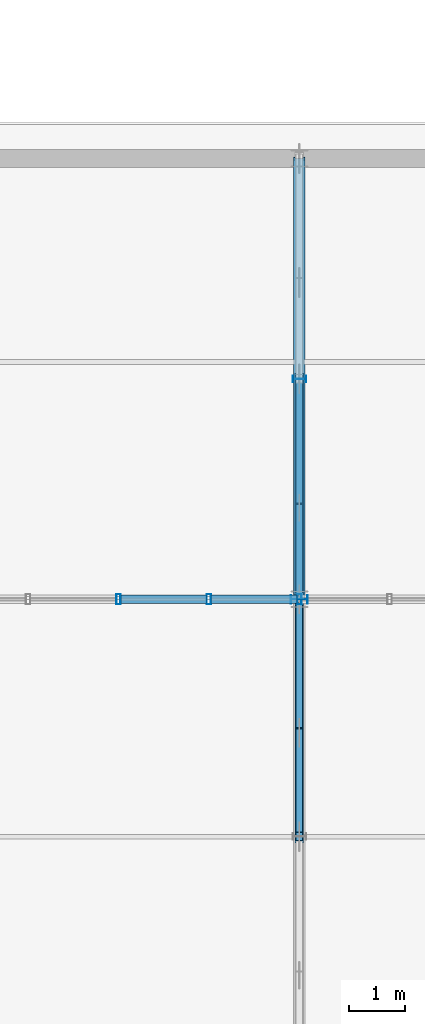
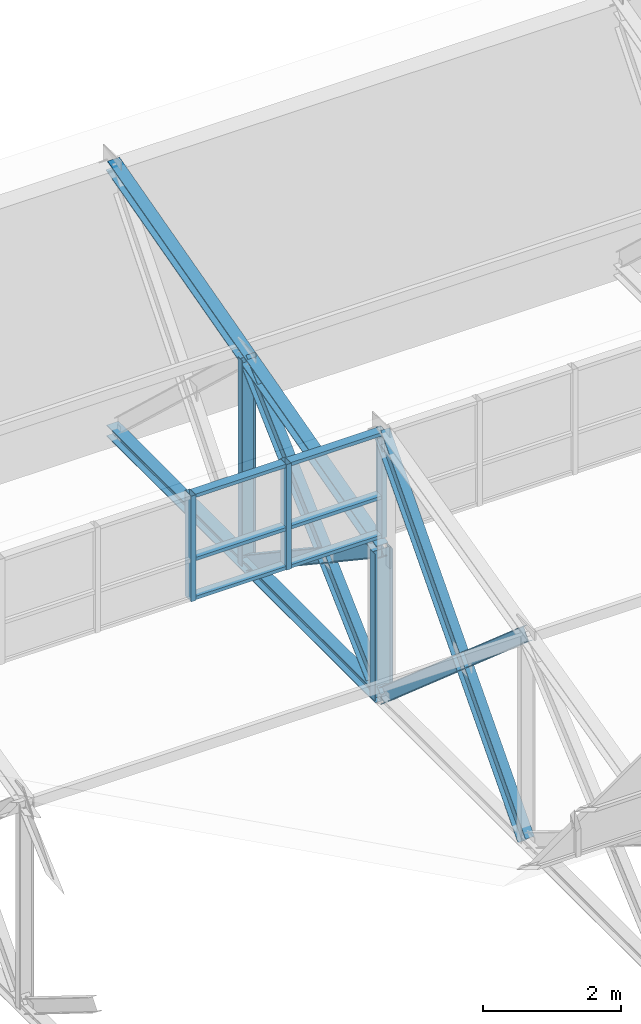
# One storey, part 75 of 123: 19 members, 1 element without a shape of its own.
"""IFC4 building model written with IfcOpenShell, lengths in metres."""

from ifc_helpers import new_model, si_unit, direction, frame, origin, origin_2d, place, context, subcontext, project, spatial, hollow_rectangle, i_section, extrude, material, layer, layer_set, material_profile, profile_set, type_object, element, aggregate, save


model = new_model("IFC4")

# Units and contexts
model_context = context("Model", 3, precision=1e-05, world=origin(), true_north=direction((0.0, 1.0)))
body_context = subcontext(model_context, "Body", "Model", "MODEL_VIEW")
ifc_project = project(units=[si_unit("LENGTHUNIT", "METRE"), si_unit("AREAUNIT", "SQUARE_METRE"), si_unit("VOLUMEUNIT", "CUBIC_METRE"), si_unit("PLANEANGLEUNIT", "RADIAN"), si_unit("MASSUNIT", "GRAM", prefix="KILO")], contexts=[model_context])

# Site, building, storey
site_placement = place(None, origin())
site = spatial("IfcSite", under=ifc_project, at=site_placement, CompositionType="ELEMENT")
building_placement = place(site_placement, origin())
building = spatial("IfcBuilding", under=site, at=building_placement, Name="Zayran Congress Hotel", CompositionType="ELEMENT")
storey_placement = place(building_placement, frame((0.0, 0.0, 15.0)))
storey = spatial("IfcBuildingStorey", under=building, at=storey_placement, Name="L03", CompositionType="ELEMENT", Elevation=15.0)

# Members
ifc_material_1 = material(Name="Steel S355", Category="steel")
ifc_material_profile_1 = material_profile(ifc_material_1, i_section(OverallWidth=0.199951171875, OverallDepth=0.199951171875, WebThickness=0.009033203125, FlangeThickness=0.014892578125, at=origin_2d()), Name="HEB 200")
ifc_profile_set_1 = profile_set([ifc_material_profile_1], Name="Steel S355")
member_type_1 = type_object("IfcMemberType", Name="TP-TR-CH2", PredefinedType="CHORD", material=ifc_profile_set_1)
member_1_placement = place(storey_placement, frame((168.0, 34.0, 0.0), z_axis=(0.0, 1.0, 0.0), x_axis=(-1.0, 0.0, 0.0)))
element("IfcMember", 1, at=member_1_placement, inside=storey, type_object=member_type_1, Name="Sawtooth Truss Bottom Chord 714", PredefinedType="CHORD", context=body_context, shape_type="SweptSolid", body=[
    extrude(i_section(OverallWidth=0.199951171875, OverallDepth=0.199951171875, WebThickness=0.009033203125, FlangeThickness=0.014892578125, at=origin_2d()), origin(), (0.0, 0.0, 1.0), 7.800048828125),
])
member_2_placement = place(storey_placement, frame((168.0, 34.0, 2.60009765625), z_axis=(0.0, 0.96579502769, 0.259306699663), x_axis=(-1.0, 0.0, 0.0)))
element("IfcMember", 2, at=member_2_placement, inside=storey, type_object=member_type_1, Name="Sawtooth Truss Top Chord 715", PredefinedType="CHORD", context=body_context, shape_type="SweptSolid", body=[
    extrude(i_section(OverallWidth=0.199951171875, OverallDepth=0.199951171875, WebThickness=0.009033203125, FlangeThickness=0.014892578125, at=origin_2d()), origin(), (0.0, 0.0, 1.0), 8.076416015625),
])
ifc_material_profile_2 = material_profile(ifc_material_1, i_section(OverallWidth=0.14990234375, OverallDepth=0.300048828125, WebThickness=0.007080078125, FlangeThickness=0.0107421875, at=origin_2d()), Name="IPE 300")
ifc_profile_set_2 = profile_set([ifc_material_profile_2], Name="Steel S355")
member_type_2 = type_object("IfcMemberType", Name="TP-TR-BR1", PredefinedType="BRACE", material=ifc_profile_set_2)
member_3_placement = place(storey_placement, frame((168.0, 29.800048828125, 0.0), z_axis=(0.0, 0.666773332967, 0.745260573521), x_axis=(-1.0, 0.0, 0.0)))
element("IfcMember", 3, at=member_3_placement, inside=storey, type_object=member_type_2, Name="Sawtooth Truss Diagonal Bay2 154", PredefinedType="BRACE", context=body_context, shape_type="SweptSolid", body=[
    extrude(i_section(OverallWidth=0.14990234375, OverallDepth=0.300048828125, WebThickness=0.007080078125, FlangeThickness=0.0107421875, at=origin_2d()), origin(), (0.0, 0.0, 1.0), 6.298828125),
])
member_4_placement = place(storey_placement, frame((168.0, 34.0, 0.0), z_axis=(0.0, 0.730372213416, 0.683049361225), x_axis=(-1.0, 0.0, 0.0)))
element("IfcMember", 4, at=member_4_placement, inside=storey, type_object=member_type_2, Name="Sawtooth Truss Diagonal 716", PredefinedType="BRACE", context=body_context, shape_type="SweptSolid", body=[
    extrude(i_section(OverallWidth=0.14990234375, OverallDepth=0.300048828125, WebThickness=0.007080078125, FlangeThickness=0.0107421875, at=origin_2d()), origin(), (0.0, 0.0, 1.0), 5.339599609375),
])
member_5_placement = place(storey_placement, frame((168.0, 34.0, 0.0), z_axis=(0.0, 0.0, 1.0), x_axis=(0.0, 1.0, 0.0)))
element("IfcMember", 5, at=member_5_placement, inside=storey, type_object=member_type_2, Name="TRV-01 Sawtooth Truss Strut", PredefinedType="BRACE", context=body_context, shape_type="SweptSolid", body=[
    extrude(i_section(OverallWidth=0.14990234375, OverallDepth=0.300048828125, WebThickness=0.007080078125, FlangeThickness=0.0107421875, at=origin_2d()), origin(), (0.0, 0.0, 1.0), 2.60009765625),
])
ifc_material_profile_3 = material_profile(ifc_material_1, i_section(OverallWidth=0.1201171875, OverallDepth=0.239990234375, WebThickness=0.006103515625, FlangeThickness=0.009765625, at=origin_2d()), Name="IPE 240")
ifc_profile_set_3 = profile_set([ifc_material_profile_3], Name="Steel S355")
member_type_3 = type_object("IfcMemberType", Name="TP-TR-BR2", PredefinedType="BRACE", material=ifc_profile_set_3)
member_6_placement = place(storey_placement, frame((168.0, 29.800048828125, 3.647216796875), z_axis=(0.0, 0.755055489466, -0.655660893929), x_axis=(-1.0, 0.0, 0.0)))
element("IfcMember", 6, at=member_6_placement, inside=storey, type_object=member_type_3, Name="Sawtooth Truss Counter Diagonal Bay2 Upper 155", PredefinedType="BRACE", context=body_context, shape_type="SweptSolid", body=[
    extrude(i_section(OverallWidth=0.1201171875, OverallDepth=0.239990234375, WebThickness=0.006103515625, FlangeThickness=0.009765625, at=origin_2d()), origin(), (0.0, 0.0, 1.0), 2.4169921875),
])
member_7_placement = place(storey_placement, frame((168.0, 31.647705078125, 2.042724609375), z_axis=(0.0, 0.755042306738, -0.655676074777), x_axis=(-1.0, 0.0, 0.0)))
element("IfcMember", 7, at=member_7_placement, inside=storey, type_object=member_type_3, Name="Sawtooth Truss Counter Diagonal Bay2 Lower 156", PredefinedType="BRACE", context=body_context, shape_type="SweptSolid", body=[
    extrude(i_section(OverallWidth=0.1201171875, OverallDepth=0.239990234375, WebThickness=0.006103515625, FlangeThickness=0.009765625, at=origin_2d()), origin(), (0.0, 0.0, 1.0), 3.115478515625),
])
member_8_placement = place(storey_placement, frame((168.0, 34.0, 2.60009765625), z_axis=(0.0, 0.831992082034, -0.554787504755), x_axis=(-1.0, 0.0, 0.0)))
element("IfcMember", 8, at=member_8_placement, inside=storey, type_object=member_type_3, Name="Sawtooth Truss Counter Diagonal Upper 717", PredefinedType="BRACE", context=body_context, shape_type="SweptSolid", body=[
    extrude(i_section(OverallWidth=0.1201171875, OverallDepth=0.239990234375, WebThickness=0.006103515625, FlangeThickness=0.009765625, at=origin_2d()), origin(), (0.0, 0.0, 1.0), 1.935791015625),
])
member_9_placement = place(storey_placement, frame((168.0, 35.635498046875, 1.509521484375), z_axis=(0.0, 0.832064095683, -0.55467949365), x_axis=(-1.0, 0.0, 0.0)))
element("IfcMember", 9, at=member_9_placement, inside=storey, type_object=member_type_3, Name="Sawtooth Truss Counter Diagonal Lower 157", PredefinedType="BRACE", context=body_context, shape_type="SweptSolid", body=[
    extrude(i_section(OverallWidth=0.1201171875, OverallDepth=0.239990234375, WebThickness=0.006103515625, FlangeThickness=0.009765625, at=origin_2d()), origin(), (0.0, 0.0, 1.0), 2.721435546875),
])
member_10_placement = place(storey_placement, frame((168.0, 37.89990234375, 0.0), z_axis=(0.0, 0.0, 1.0), x_axis=(0.0, 1.0, 0.0)))
element("IfcMember", 10, at=member_10_placement, inside=storey, type_object=member_type_3, Name="TRV-01 Sawtooth Truss Strut", PredefinedType="BRACE", context=body_context, shape_type="SweptSolid", body=[
    extrude(i_section(OverallWidth=0.1201171875, OverallDepth=0.239990234375, WebThickness=0.006103515625, FlangeThickness=0.009765625, at=origin_2d()), origin(), (0.0, 0.0, 1.0), 3.647216796875),
])

# Curtain wall, members
ifc_material_2 = material(Name="Anodised aluminium and low-E insulated glass", Category="aluminium")
ifc_layer = layer(ifc_material_2, 0.179931640625)
ifc_layer_set = layer_set([ifc_layer], Name="Anodised aluminium and low-E insulated glass")
curtain_wall_type = type_object("IfcCurtainWallType", Name="CW-V3SAW-L03-CW-V31-32000-1870", PredefinedType="USERDEFINED", material=ifc_layer_set)
curtain_wall_placement = place(storey_placement, origin())
curtain_wall = element("IfcCurtainWall", 11, at=curtain_wall_placement, inside=storey, type_object=curtain_wall_type, Name="CW-V3SAW-3", ObjectType="CURTAIN WALL", PredefinedType="USERDEFINED")
ifc_material_3 = material(Name="Anodised aluminium framing", Category="aluminium")
ifc_material_profile_4 = material_profile(ifc_material_3, hollow_rectangle(XDim=0.080078125, YDim=0.179931640625, WallThickness=0.0048828125, at=origin_2d()), Name="RHS 180x80x5")
ifc_profile_set_4 = profile_set([ifc_material_profile_4], Name="Anodised aluminium framing")
member_type_4 = type_object("IfcMemberType", Name="TP-CWM-01", PredefinedType="MULLION", material=ifc_profile_set_4)
member_11_placement = place(storey_placement, frame((168.0, 34.0, 2.85009765625), z_axis=(0.0, 0.0, 1.0), x_axis=(1.0, 0.0, 0.0)))
member_11 = element("IfcMember", 12, at=member_11_placement, type_object=member_type_4, Name="CW-V3SAW-3-M10", PredefinedType="MULLION", context=body_context, shape_type="SweptSolid", body=[
    extrude(hollow_rectangle(XDim=0.080078125, YDim=0.179931640625, WallThickness=0.0048828125, at=origin_2d()), origin(), (0.0, 0.0, 1.0), 1.869873046875),
])
member_12_placement = place(storey_placement, frame((166.39990234375, 34.0, 2.85009765625), z_axis=(0.0, 0.0, 1.0), x_axis=(1.0, 0.0, 0.0)))
member_12 = element("IfcMember", 13, at=member_12_placement, type_object=member_type_4, Name="CW-V3SAW-3-M11", PredefinedType="MULLION", context=body_context, shape_type="SweptSolid", body=[
    extrude(hollow_rectangle(XDim=0.080078125, YDim=0.179931640625, WallThickness=0.0048828125, at=origin_2d()), origin(), (0.0, 0.0, 1.0), 1.869873046875),
])
member_13_placement = place(storey_placement, frame((164.800048828125, 34.0, 2.85009765625), z_axis=(0.0, 0.0, 1.0), x_axis=(1.0, 0.0, 0.0)))
member_13 = element("IfcMember", 14, at=member_13_placement, type_object=member_type_4, Name="CW-V3SAW-3-M12", PredefinedType="MULLION", context=body_context, shape_type="SweptSolid", body=[
    extrude(hollow_rectangle(XDim=0.080078125, YDim=0.179931640625, WallThickness=0.0048828125, at=origin_2d()), origin(), (0.0, 0.0, 1.0), 1.869873046875),
])
ifc_material_profile_5 = material_profile(ifc_material_3, hollow_rectangle(XDim=0.06005859375, YDim=0.14990234375, WallThickness=0.00390625, at=origin_2d()), Name="RHS 150x60x4")
ifc_profile_set_5 = profile_set([ifc_material_profile_5], Name="Anodised aluminium framing")
member_type_5 = type_object("IfcMemberType", Name="TP-CWT-01", PredefinedType="USERDEFINED", material=ifc_profile_set_5)
member_14_placement = place(storey_placement, frame((167.9599609375, 34.0, 2.8798828125), z_axis=(-1.0, 0.0, 0.0), x_axis=(0.0, 0.0, 1.0)))
member_14 = element("IfcMember", 15, at=member_14_placement, type_object=member_type_5, Name="CW-V3SAW-3-T10-0", ObjectType="TRANSOM", PredefinedType="USERDEFINED", context=body_context, shape_type="SweptSolid", body=[
    extrude(hollow_rectangle(XDim=0.06005859375, YDim=0.14990234375, WallThickness=0.00390625, at=origin_2d()), origin(), (0.0, 0.0, 1.0), 1.52001953125),
])
member_15_placement = place(storey_placement, frame((167.9599609375, 34.0, 3.570068359375), z_axis=(-1.0, 0.0, 0.0), x_axis=(0.0, 0.0, 1.0)))
member_15 = element("IfcMember", 16, at=member_15_placement, type_object=member_type_5, Name="CW-V3SAW-3-T10-1", ObjectType="TRANSOM", PredefinedType="USERDEFINED", context=body_context, shape_type="SweptSolid", body=[
    extrude(hollow_rectangle(XDim=0.06005859375, YDim=0.14990234375, WallThickness=0.00390625, at=origin_2d()), origin(), (0.0, 0.0, 1.0), 1.52001953125),
])
member_16_placement = place(storey_placement, frame((167.9599609375, 34.0, 4.68994140625), z_axis=(-1.0, 0.0, 0.0), x_axis=(0.0, 0.0, 1.0)))
member_16 = element("IfcMember", 17, at=member_16_placement, type_object=member_type_5, Name="CW-V3SAW-3-T10-2", ObjectType="TRANSOM", PredefinedType="USERDEFINED", context=body_context, shape_type="SweptSolid", body=[
    extrude(hollow_rectangle(XDim=0.06005859375, YDim=0.14990234375, WallThickness=0.00390625, at=origin_2d()), origin(), (0.0, 0.0, 1.0), 1.52001953125),
])
member_17_placement = place(storey_placement, frame((166.360107421875, 34.0, 2.8798828125), z_axis=(-1.0, 0.0, 0.0), x_axis=(0.0, 0.0, 1.0)))
member_17 = element("IfcMember", 18, at=member_17_placement, type_object=member_type_5, Name="CW-V3SAW-3-T11-0", ObjectType="TRANSOM", PredefinedType="USERDEFINED", context=body_context, shape_type="SweptSolid", body=[
    extrude(hollow_rectangle(XDim=0.06005859375, YDim=0.14990234375, WallThickness=0.00390625, at=origin_2d()), origin(), (0.0, 0.0, 1.0), 1.52001953125),
])
member_18_placement = place(storey_placement, frame((166.360107421875, 34.0, 3.570068359375), z_axis=(-1.0, 0.0, 0.0), x_axis=(0.0, 0.0, 1.0)))
member_18 = element("IfcMember", 19, at=member_18_placement, type_object=member_type_5, Name="CW-V3SAW-3-T11-1", ObjectType="TRANSOM", PredefinedType="USERDEFINED", context=body_context, shape_type="SweptSolid", body=[
    extrude(hollow_rectangle(XDim=0.06005859375, YDim=0.14990234375, WallThickness=0.00390625, at=origin_2d()), origin(), (0.0, 0.0, 1.0), 1.52001953125),
])
member_19_placement = place(storey_placement, frame((166.360107421875, 34.0, 4.68994140625), z_axis=(-1.0, 0.0, 0.0), x_axis=(0.0, 0.0, 1.0)))
member_19 = element("IfcMember", 20, at=member_19_placement, type_object=member_type_5, Name="CW-V3SAW-3-T11-2", ObjectType="TRANSOM", PredefinedType="USERDEFINED", context=body_context, shape_type="SweptSolid", body=[
    extrude(hollow_rectangle(XDim=0.06005859375, YDim=0.14990234375, WallThickness=0.00390625, at=origin_2d()), origin(), (0.0, 0.0, 1.0), 1.52001953125),
])
aggregate(curtain_wall, [member_11, member_12, member_13, member_14, member_15, member_16, member_17, member_18, member_19])

save(model, "model.ifc")
